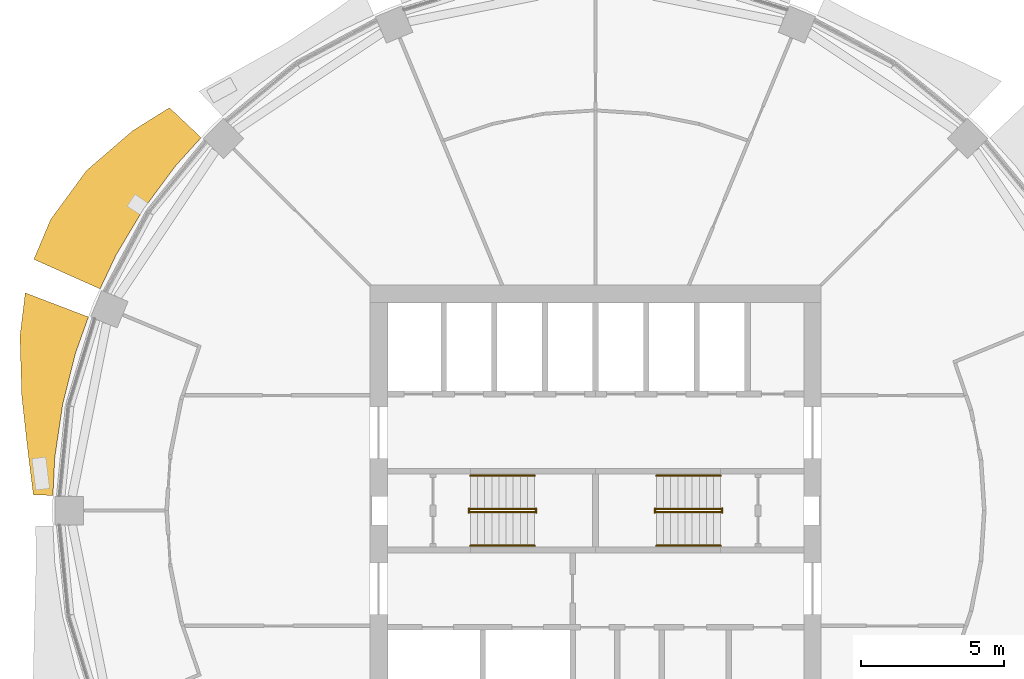
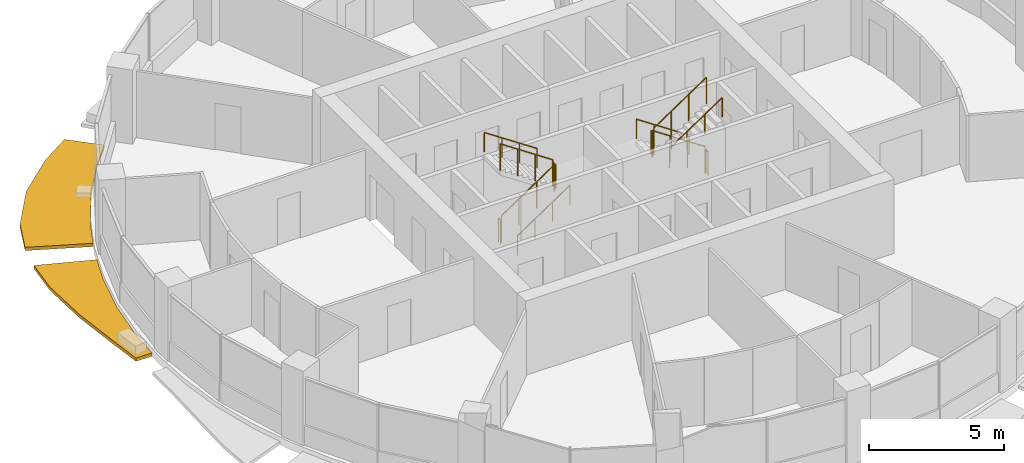
# One storey, part 13 of 15: 12 railings, 2 shading devices.
"""IFC4 building model written with IfcOpenShell, lengths in metres."""

import ifcopenshell
import ifcopenshell.guid

model = None  # the IFC model being written
_history = None  # IfcOwnerHistory: only IFC2X3 demands one
_inside = {}  # id of a spatial element -> (the spatial element, [elements in it])
_under = {}  # id of a project, library or spatial element -> (it, [spatial elements below it])
_declared = {}  # id of a project -> (the project, [libraries it declares])
_typed = {}  # id of a type object -> (the type object, [elements of that type])
_made_of = {}  # id of a material, layer set ... -> (it, [elements and type objects made of it])


def new_model(schema):
    """Start an empty IFC model of exactly this schema.

    Asked for "IFC4X3", IfcOpenShell would pick the latest addendum, in which some entities
    have other attributes; the version numbers below select the first issue.
    IFC2X3 requires an IfcOwnerHistory on every rooted entity: one is made here for all.
    """
    global model, _history
    if schema == "IFC4X3":
        model = ifcopenshell.file(schema_version=(4, 3, 0, 0))
    else:
        model = ifcopenshell.file(schema=schema)
    _inside.clear()
    _under.clear()
    _declared.clear()
    _typed.clear()
    _made_of.clear()
    _history = None
    if model.schema == "IFC2X3":
        org = make("IfcOrganization", Name="unknown")
        user = make(
            "IfcPersonAndOrganization",
            ThePerson=make("IfcPerson", FamilyName="unknown"),
            TheOrganization=org,
        )
        app = make(
            "IfcApplication",
            ApplicationDeveloper=org,
            Version="unknown",
            ApplicationFullName="unknown",
            ApplicationIdentifier="unknown",
        )
        _history = make(
            "IfcOwnerHistory",
            OwningUser=user,
            OwningApplication=app,
            ChangeAction="ADDED",
            CreationDate=0,
        )
    return model


def make(cls, **values):
    """One entity of the class cls with the attributes given. An attribute that is None is left unset."""
    return model.create_entity(
        cls, **{name: value for name, value in values.items() if value is not None}
    )


def rooted(cls, **values):
    """An entity with a GlobalId (a new one), such as an element, a storey or a relation."""
    return make(cls, GlobalId=ifcopenshell.guid.new(), OwnerHistory=_history, **values)


def si_unit(unit_type, name, prefix=None):
    """IfcSIUnit, for example si_unit("LENGTHUNIT", "METRE", prefix="MILLI")."""
    return make("IfcSIUnit", UnitType=unit_type, Prefix=prefix, Name=name)


def assignment(units):
    """IfcUnitAssignment: the units of a project."""
    return None if units is None else make("IfcUnitAssignment", Units=units)


def point(xyz):
    """IfcCartesianPoint."""
    return None if xyz is None else make("IfcCartesianPoint", Coordinates=xyz)


def direction(xyz):
    """IfcDirection."""
    return None if xyz is None else make("IfcDirection", DirectionRatios=xyz)


def frame(location, z_axis=None, x_axis=None):
    """IfcAxis2Placement3D, a coordinate frame: its origin and axes. An axis left out is left unset."""
    return make(
        "IfcAxis2Placement3D",
        Location=point(location),
        Axis=direction(z_axis),
        RefDirection=direction(x_axis),
    )


def frame_2d(location, x_axis=None):
    """IfcAxis2Placement2D, a coordinate frame in the plane: its origin and x axis."""
    return make(
        "IfcAxis2Placement2D", Location=point(location), RefDirection=direction(x_axis)
    )


def origin():
    """The frame at (0, 0, 0) with its axes left unset."""
    return frame((0.0, 0.0, 0.0))


def origin_2d():
    """The frame at (0, 0) in the plane with its x axis left unset."""
    return frame_2d((0.0, 0.0))


def place(relative_to, where):
    """IfcLocalPlacement: puts the frame where relative to a parent placement (None: the world)."""
    return make(
        "IfcLocalPlacement", PlacementRelTo=relative_to, RelativePlacement=where
    )


def context(
    kind, dimensions, precision=None, world=None, true_north=None, identifier=None
):
    """IfcGeometricRepresentationContext, for example the 3D "Model" context."""
    return make(
        "IfcGeometricRepresentationContext",
        ContextIdentifier=identifier,
        ContextType=kind,
        CoordinateSpaceDimension=dimensions,
        Precision=precision,
        WorldCoordinateSystem=world,
        TrueNorth=true_north,
    )


def subcontext(parent, identifier, kind, view, scale=None):
    """IfcGeometricRepresentationSubContext, for example "Body" below "Model"."""
    return make(
        "IfcGeometricRepresentationSubContext",
        ContextIdentifier=identifier,
        ContextType=kind,
        ParentContext=parent,
        TargetScale=scale,
        TargetView=view,
    )


def project(units=None, contexts=None):
    """IfcProject with its units and contexts."""
    return rooted(
        "IfcProject",
        Name="project",
        RepresentationContexts=contexts,
        UnitsInContext=assignment(units),
    )


def spatial(cls, under=None, at=None, **own):
    """A site, building, storey or space (cls), placed at a placement, below another one or the project."""
    s = rooted(cls, ObjectPlacement=at, **own)
    if under is not None:
        _under.setdefault(under.id(), (under, []))[1].append(s)
    return s


def polyline(points):
    """IfcPolyline through the points."""
    return make("IfcPolyline", Points=[point(p) for p in points])


def profile(cls, at=None, kind="AREA", **sizes):
    """A parametric profile (cls). Its sizes go by their IFC names, for example OverallWidth=200.0."""
    return make(cls, ProfileType=kind, Position=at, **sizes)


def circle(**sizes):
    """IfcCircleProfileDef."""
    return profile("IfcCircleProfileDef", **sizes)


def outline(outer, holes=None, kind="AREA"):
    """IfcArbitraryClosedProfileDef: a profile drawn as a closed curve; with holes, ...WithVoids."""
    if holes is None:
        return make("IfcArbitraryClosedProfileDef", ProfileType=kind, OuterCurve=outer)
    return make(
        "IfcArbitraryProfileDefWithVoids",
        ProfileType=kind,
        OuterCurve=outer,
        InnerCurves=holes,
    )


def extrude(swept, where, along, depth):
    """IfcExtrudedAreaSolid: the profile swept, set in the frame where, extruded along a direction by depth."""
    return make(
        "IfcExtrudedAreaSolid",
        SweptArea=swept,
        Position=where,
        ExtrudedDirection=direction(along),
        Depth=depth,
    )


def shape(context_of_items, identifier, shape_type, items):
    """IfcShapeRepresentation: the items that make up one representation, for example the "Body"."""
    return make(
        "IfcShapeRepresentation",
        ContextOfItems=context_of_items,
        RepresentationIdentifier=identifier,
        RepresentationType=shape_type,
        Items=items,
    )


def material(Name=None, Category=None):
    """IfcMaterial."""
    return make("IfcMaterial", Name=Name, Category=Category)


def made_of(thing, what):
    """Note that an element or type object is made of a material, layer set ...; save() writes the relation."""
    if what is not None:
        _made_of.setdefault(what.id(), (what, []))[1].append(thing)
    return thing


def type_object(cls, material=None, **own):
    """A type object (cls), such as IfcWallType, which elements share."""
    return made_of(rooted(cls, **own), material)


def element(
    cls,
    number,
    at=None,
    inside=None,
    cuts=None,
    type_object=None,
    material=None,
    context=None,
    identifier="Body",
    shape_type=None,
    held_by="IfcProductDefinitionShape",
    body=None,
    shapes=None,
    **own,
):
    """One element of the class cls, such as IfcWall. Its Tag is "e" and its number.

    at: its placement. inside: the storey or other place that contains it. cuts: it is an
    opening in that element (IfcRelVoidsElement). A single representation is given by context,
    identifier, shape_type and body (its items); several are given by shapes. held_by: the class
    of the entity that holds the representations. save() writes the other relations.
    """
    e = rooted(cls, Tag="e%d" % number, ObjectPlacement=at, **own)
    if body is not None:
        shapes = [shape(context, identifier, shape_type, body)]
    if shapes is not None:
        e.Representation = make(held_by, Representations=shapes)
    if inside is not None:
        _inside.setdefault(inside.id(), (inside, []))[1].append(e)
    if cuts is not None:
        rooted(
            "IfcRelVoidsElement", RelatingBuildingElement=cuts, RelatedOpeningElement=e
        )
    if type_object is not None:
        _typed.setdefault(type_object.id(), (type_object, []))[1].append(e)
    return made_of(e, material)


def aggregate(whole, parts):
    """IfcRelAggregates: a whole, such as a stair, and the parts it consists of."""
    return rooted("IfcRelAggregates", RelatingObject=whole, RelatedObjects=parts)


def save(model, path):
    """Write the relations noted so far, then the file.

    IfcRelAggregates (storeys below a building ...), IfcRelContainedInSpatialStructure (elements
    in a storey), IfcRelDefinesByType, IfcRelAssociatesMaterial and IfcRelDeclares: one each for
    every whole, place, type object, material and project.
    """
    for whole, parts in _under.values():
        aggregate(whole, parts)
    for where, things in _inside.values():
        rooted(
            "IfcRelContainedInSpatialStructure",
            RelatedElements=things,
            RelatingStructure=where,
        )
    for kind, things in _typed.values():
        rooted("IfcRelDefinesByType", RelatedObjects=things, RelatingType=kind)
    for what, things in _made_of.values():
        rooted("IfcRelAssociatesMaterial", RelatedObjects=things, RelatingMaterial=what)
    for by, libraries in _declared.values():
        rooted("IfcRelDeclares", RelatingContext=by, RelatedDefinitions=libraries)
    model.write(path)


model = new_model("IFC4")

# Units and contexts
model_context = context("Model", 3, precision=1e-05, world=origin(), true_north=direction((0.0, 1.0)))
body_context = subcontext(model_context, "Body", "Model", "MODEL_VIEW")
ifc_project = project(units=[si_unit("LENGTHUNIT", "METRE"), si_unit("AREAUNIT", "SQUARE_METRE"), si_unit("VOLUMEUNIT", "CUBIC_METRE"), si_unit("PLANEANGLEUNIT", "RADIAN"), si_unit("MASSUNIT", "GRAM", prefix="KILO")], contexts=[model_context])

# Site, building, storey
site_placement = place(None, origin())
site = spatial("IfcSite", under=ifc_project, at=site_placement, CompositionType="ELEMENT")
building_placement = place(site_placement, origin())
building = spatial("IfcBuilding", under=site, at=building_placement, Name="Polderwave Tower", CompositionType="ELEMENT")
storey_placement = place(building_placement, frame((0.0, 0.0, 131.0)))
storey = spatial("IfcBuildingStorey", under=building, at=storey_placement, Name="L34", CompositionType="ELEMENT", Elevation=131.0)

# Railings
ifc_material_1 = material(Name="Stainless steel", Category="steel")
railing_type_1 = type_object("IfcRailingType", Name="Stair guard 1100", PredefinedType="GUARDRAIL", material=ifc_material_1)
railing_1_placement = place(storey_placement, frame((-4.3740234375, -0.051025390625, 0.04736328125)))
element("IfcRailing", 1, at=railing_1_placement, inside=storey, type_object=railing_type_1, Name="L34 ST-A stair guard 1", PredefinedType="GUARDRAIL", context=body_context, shape_type="SweptSolid", body=[
    extrude(circle(Radius=0.02392578125, at=origin_2d()), frame((0.0, 0.0, 1.1962890625), z_axis=(0.830758306289, 0.0, 0.556633305266), x_axis=(0.0, 1.0, 0.0)), (0.0, 0.0, 1.0), 2.708251953125),
    extrude(circle(Radius=0.02392578125, at=origin_2d()), origin(), (0.0, 0.0, 1.0), 1.172119140625),
    extrude(circle(Radius=0.02392578125, at=origin_2d()), frame((0.75, 0.0, 0.50244140625)), (0.0, 0.0, 1.0), 1.172119140625),
    extrude(circle(Radius=0.02392578125, at=origin_2d()), frame((1.5, 0.0, 1.005126953125)), (0.0, 0.0, 1.0), 1.172119140625),
    extrude(circle(Radius=0.02392578125, at=origin_2d()), frame((2.25, 0.0, 1.507568359375)), (0.0, 0.0, 1.0), 1.172119140625),
])
railing_2_placement = place(storey_placement, frame((-2.073974609375, -0.074951171875, 1.675048828125)))
element("IfcRailing", 2, at=railing_2_placement, inside=storey, type_object=railing_type_1, Name="L34 ST-A stair guard 2", PredefinedType="GUARDRAIL", context=body_context, shape_type="SweptSolid", body=[
    extrude(circle(Radius=0.02392578125, at=origin_2d()), frame((0.0, 0.0, 1.076171875), z_axis=(0.0, 1.0, 0.0), x_axis=(-1.0, 0.0, 0.0)), (0.0, 0.0, 1.0), 0.14990234375),
    extrude(circle(Radius=0.02099609375, at=origin_2d()), origin(), (0.0, 0.0, 1.0), 1.052001953125),
    extrude(circle(Radius=0.02099609375, at=origin_2d()), frame((0.0, 0.14990234375, 0.0)), (0.0, 0.0, 1.0), 1.052001953125),
])
railing_3_placement = place(storey_placement, frame((-2.1240234375, 0.051025390625, 1.722412109375)))
element("IfcRailing", 3, at=railing_3_placement, inside=storey, type_object=railing_type_1, Name="L34 ST-A stair guard 3", PredefinedType="GUARDRAIL", context=body_context, shape_type="SweptSolid", body=[
    extrude(circle(Radius=0.02392578125, at=origin_2d()), frame((0.0, 0.0, 1.1962890625), z_axis=(-0.830758306289, 0.0, 0.556633305266), x_axis=(0.0, -1.0, 0.0)), (0.0, 0.0, 1.0), 2.708251953125),
    extrude(circle(Radius=0.02392578125, at=origin_2d()), origin(), (0.0, 0.0, 1.0), 1.172119140625),
    extrude(circle(Radius=0.02392578125, at=origin_2d()), frame((-0.75, 0.0, 0.50244140625)), (0.0, 0.0, 1.0), 1.172119140625),
    extrude(circle(Radius=0.02392578125, at=origin_2d()), frame((-1.5, 0.0, 1.005126953125)), (0.0, 0.0, 1.0), 1.172119140625),
    extrude(circle(Radius=0.02392578125, at=origin_2d()), frame((-2.25, 0.0, 1.507568359375)), (0.0, 0.0, 1.0), 1.172119140625),
])
railing_4_placement = place(storey_placement, frame((-4.424072265625, -0.074951171875, 0.0)))
element("IfcRailing", 4, at=railing_4_placement, inside=storey, type_object=railing_type_1, Name="L34 ST-A stair guard 4", PredefinedType="GUARDRAIL", context=body_context, shape_type="SweptSolid", body=[
    extrude(circle(Radius=0.02392578125, at=origin_2d()), frame((0.0, 0.0, 1.076171875), z_axis=(0.0, 1.0, 0.0), x_axis=(-1.0, 0.0, 0.0)), (0.0, 0.0, 1.0), 0.14990234375),
    extrude(circle(Radius=0.02099609375, at=origin_2d()), origin(), (0.0, 0.0, 1.0), 1.052001953125),
    extrude(circle(Radius=0.02099609375, at=origin_2d()), frame((0.0, 0.14990234375, 0.0)), (0.0, 0.0, 1.0), 1.052001953125),
])
railing_5_placement = place(storey_placement, frame((4.3740234375, 0.051025390625, 0.04736328125)))
element("IfcRailing", 5, at=railing_5_placement, inside=storey, type_object=railing_type_1, Name="L34 ST-B stair guard 1", PredefinedType="GUARDRAIL", context=body_context, shape_type="SweptSolid", body=[
    extrude(circle(Radius=0.02392578125, at=origin_2d()), frame((0.0, 0.0, 1.1962890625), z_axis=(-0.830758306289, 0.0, 0.556633305266), x_axis=(0.0, -1.0, 0.0)), (0.0, 0.0, 1.0), 2.708251953125),
    extrude(circle(Radius=0.02392578125, at=origin_2d()), origin(), (0.0, 0.0, 1.0), 1.172119140625),
    extrude(circle(Radius=0.02392578125, at=origin_2d()), frame((-0.75, 0.0, 0.50244140625)), (0.0, 0.0, 1.0), 1.172119140625),
    extrude(circle(Radius=0.02392578125, at=origin_2d()), frame((-1.5, 0.0, 1.005126953125)), (0.0, 0.0, 1.0), 1.172119140625),
    extrude(circle(Radius=0.02392578125, at=origin_2d()), frame((-2.25, 0.0, 1.507568359375)), (0.0, 0.0, 1.0), 1.172119140625),
])
railing_6_placement = place(storey_placement, frame((2.073974609375, 0.074951171875, 1.675048828125)))
element("IfcRailing", 6, at=railing_6_placement, inside=storey, type_object=railing_type_1, Name="L34 ST-B stair guard 2", PredefinedType="GUARDRAIL", context=body_context, shape_type="SweptSolid", body=[
    extrude(circle(Radius=0.02392578125, at=origin_2d()), frame((0.0, 0.0, 1.076171875), z_axis=(0.0, -1.0, 0.0), x_axis=(1.0, 0.0, 0.0)), (0.0, 0.0, 1.0), 0.14990234375),
    extrude(circle(Radius=0.02099609375, at=origin_2d()), origin(), (0.0, 0.0, 1.0), 1.052001953125),
    extrude(circle(Radius=0.02099609375, at=origin_2d()), frame((0.0, -0.14990234375, 0.0)), (0.0, 0.0, 1.0), 1.052001953125),
])
railing_7_placement = place(storey_placement, frame((2.1240234375, -0.051025390625, 1.722412109375)))
element("IfcRailing", 7, at=railing_7_placement, inside=storey, type_object=railing_type_1, Name="L34 ST-B stair guard 3", PredefinedType="GUARDRAIL", context=body_context, shape_type="SweptSolid", body=[
    extrude(circle(Radius=0.02392578125, at=origin_2d()), frame((0.0, 0.0, 1.1962890625), z_axis=(0.830758306289, 0.0, 0.556633305266), x_axis=(0.0, 1.0, 0.0)), (0.0, 0.0, 1.0), 2.708251953125),
    extrude(circle(Radius=0.02392578125, at=origin_2d()), origin(), (0.0, 0.0, 1.0), 1.172119140625),
    extrude(circle(Radius=0.02392578125, at=origin_2d()), frame((0.75, 0.0, 0.50244140625)), (0.0, 0.0, 1.0), 1.172119140625),
    extrude(circle(Radius=0.02392578125, at=origin_2d()), frame((1.5, 0.0, 1.005126953125)), (0.0, 0.0, 1.0), 1.172119140625),
    extrude(circle(Radius=0.02392578125, at=origin_2d()), frame((2.25, 0.0, 1.507568359375)), (0.0, 0.0, 1.0), 1.172119140625),
])
railing_8_placement = place(storey_placement, frame((4.424072265625, 0.074951171875, 0.0)))
element("IfcRailing", 8, at=railing_8_placement, inside=storey, type_object=railing_type_1, Name="L34 ST-B stair guard 4", PredefinedType="GUARDRAIL", context=body_context, shape_type="SweptSolid", body=[
    extrude(circle(Radius=0.02392578125, at=origin_2d()), frame((0.0, 0.0, 1.076171875), z_axis=(0.0, -1.0, 0.0), x_axis=(1.0, 0.0, 0.0)), (0.0, 0.0, 1.0), 0.14990234375),
    extrude(circle(Radius=0.02099609375, at=origin_2d()), origin(), (0.0, 0.0, 1.0), 1.052001953125),
    extrude(circle(Radius=0.02099609375, at=origin_2d()), frame((0.0, -0.14990234375, 0.0)), (0.0, 0.0, 1.0), 1.052001953125),
])
railing_type_2 = type_object("IfcRailingType", Name="Stair handrail 900", PredefinedType="HANDRAIL", material=ifc_material_1)
railing_9_placement = place(storey_placement, frame((-4.3740234375, -1.22509765625, 0.16748046875)))
element("IfcRailing", 9, at=railing_9_placement, inside=storey, type_object=railing_type_2, Name="L34 ST-A stair handrail 1", PredefinedType="HANDRAIL", context=body_context, shape_type="SweptSolid", body=[
    extrude(circle(Radius=0.02392578125, at=origin_2d()), frame((0.0, 0.0, 0.8759765625), z_axis=(0.830758306289, 0.0, 0.556633305266), x_axis=(0.0, 1.0, 0.0)), (0.0, 0.0, 1.0), 2.708251953125),
    extrude(circle(Radius=0.02099609375, at=origin_2d()), origin(), (0.0, 0.0, 1.0), 0.851806640625),
    extrude(circle(Radius=0.02099609375, at=origin_2d()), frame((0.75, 0.0, 0.50244140625)), (0.0, 0.0, 1.0), 0.851806640625),
    extrude(circle(Radius=0.02099609375, at=origin_2d()), frame((1.5, 0.0, 1.005126953125)), (0.0, 0.0, 1.0), 0.851806640625),
    extrude(circle(Radius=0.02099609375, at=origin_2d()), frame((2.25, 0.0, 1.507568359375)), (0.0, 0.0, 1.0), 0.851806640625),
])
for number, where, name in (
    (10, (-2.1240234375, 1.22509765625, 1.842529296875), "L34 ST-A stair handrail 2"),
    (11, (4.3740234375, 1.22509765625, 0.16748046875), "L34 ST-B stair handrail 1"),
):
    element("IfcRailing", number, at=place(storey_placement, frame(where)), inside=storey, type_object=railing_type_2, Name=name, PredefinedType="HANDRAIL", context=body_context, shape_type="SweptSolid", body=[
        extrude(circle(Radius=0.02392578125, at=origin_2d()), frame((0.0, 0.0, 0.8759765625), z_axis=(-0.830758306289, 0.0, 0.556633305266), x_axis=(0.0, -1.0, 0.0)), (0.0, 0.0, 1.0), 2.708251953125),
        extrude(circle(Radius=0.02099609375, at=origin_2d()), origin(), (0.0, 0.0, 1.0), 0.851806640625),
        extrude(circle(Radius=0.02099609375, at=origin_2d()), frame((-0.75, 0.0, 0.50244140625)), (0.0, 0.0, 1.0), 0.851806640625),
        extrude(circle(Radius=0.02099609375, at=origin_2d()), frame((-1.5, 0.0, 1.005126953125)), (0.0, 0.0, 1.0), 0.851806640625),
        extrude(circle(Radius=0.02099609375, at=origin_2d()), frame((-2.25, 0.0, 1.507568359375)), (0.0, 0.0, 1.0), 0.851806640625),
    ])
railing_10_placement = place(storey_placement, frame((2.1240234375, -1.22509765625, 1.842529296875)))
element("IfcRailing", 12, at=railing_10_placement, inside=storey, type_object=railing_type_2, Name="L34 ST-B stair handrail 2", PredefinedType="HANDRAIL", context=body_context, shape_type="SweptSolid", body=[
    extrude(circle(Radius=0.02392578125, at=origin_2d()), frame((0.0, 0.0, 0.8759765625), z_axis=(0.830758306289, 0.0, 0.556633305266), x_axis=(0.0, 1.0, 0.0)), (0.0, 0.0, 1.0), 2.708251953125),
    extrude(circle(Radius=0.02099609375, at=origin_2d()), origin(), (0.0, 0.0, 1.0), 0.851806640625),
    extrude(circle(Radius=0.02099609375, at=origin_2d()), frame((0.75, 0.0, 0.50244140625)), (0.0, 0.0, 1.0), 0.851806640625),
    extrude(circle(Radius=0.02099609375, at=origin_2d()), frame((1.5, 0.0, 1.005126953125)), (0.0, 0.0, 1.0), 0.851806640625),
    extrude(circle(Radius=0.02099609375, at=origin_2d()), frame((2.25, 0.0, 1.507568359375)), (0.0, 0.0, 1.0), 0.851806640625),
])

# Shading devices
ifc_material_2 = material(Name="Terracotta", Category="masonry")
shading_device_type = type_object("IfcShadingDeviceType", Name="Terracotta sunshade band", PredefinedType="USERDEFINED", material=ifc_material_2)
shading_device_1_placement = place(storey_placement, frame((0.0, 0.0, -0.35009765625)))
element("IfcShadingDevice", 13, at=shading_device_1_placement, inside=storey, type_object=shading_device_type, Name="Sunshade band L34 7", ObjectType="SUNSHADE", PredefinedType="USERDEFINED", context=body_context, shape_type="SweptSolid", body=[
    extrude(outline(polyline([(-13.77734375, 13.027587890625), (-14.671630859375, 12.040771484375), (-15.78125, 10.544677734375), (-16.739013671875, 8.947021484375), (-17.308349609375, 7.7431640625), (-19.619384765625, 8.777099609375), (-19.03076171875, 10.172119140625), (-17.779052734375, 11.879638671875), (-16.168212890625, 13.26904296875), (-14.8828125, 14.072998046875), (-13.77734375, 13.027587890625)])), origin(), (0.0, 0.0, 1.0), 0.150146484375),
])
shading_device_2_placement = place(storey_placement, frame((0.0, 0.0, -0.35009765625)))
element("IfcShadingDevice", 14, at=shading_device_2_placement, inside=storey, type_object=shading_device_type, Name="Sunshade band L34 8", ObjectType="SUNSHADE", PredefinedType="USERDEFINED", context=body_context, shape_type="SweptSolid", body=[
    extrude(outline(polyline([(-17.714111328125, 6.763671875), (-18.16259765625, 5.509521484375), (-18.615234375, 3.702880859375), (-18.888671875, 1.8603515625), (-18.9541015625, 0.530029296875), (-19.63818359375, 0.54931640625), (-19.813232421875, 1.951416015625), (-20.04150390625, 3.986572265625), (-20.103759765625, 6.098388671875), (-19.919189453125, 7.605712890625), (-17.714111328125, 6.763671875)])), origin(), (0.0, 0.0, 1.0), 0.150146484375),
])

save(model, "model.ifc")
